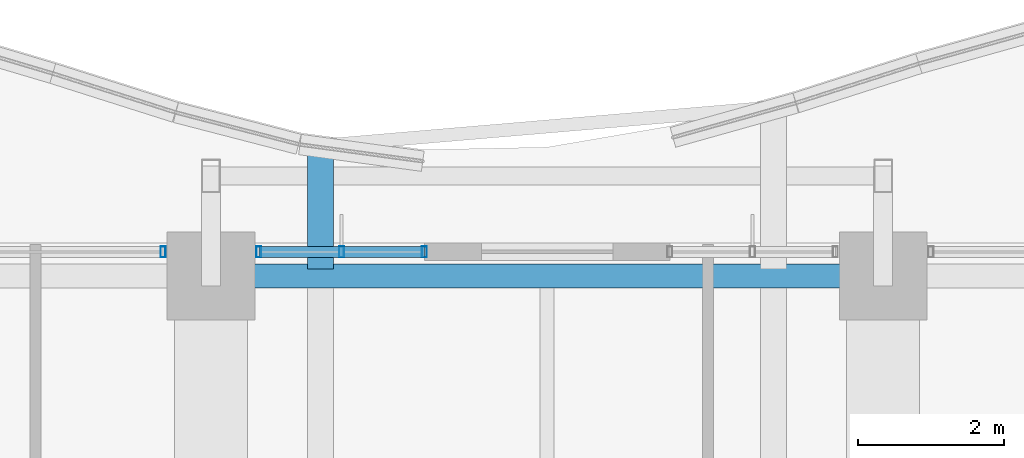
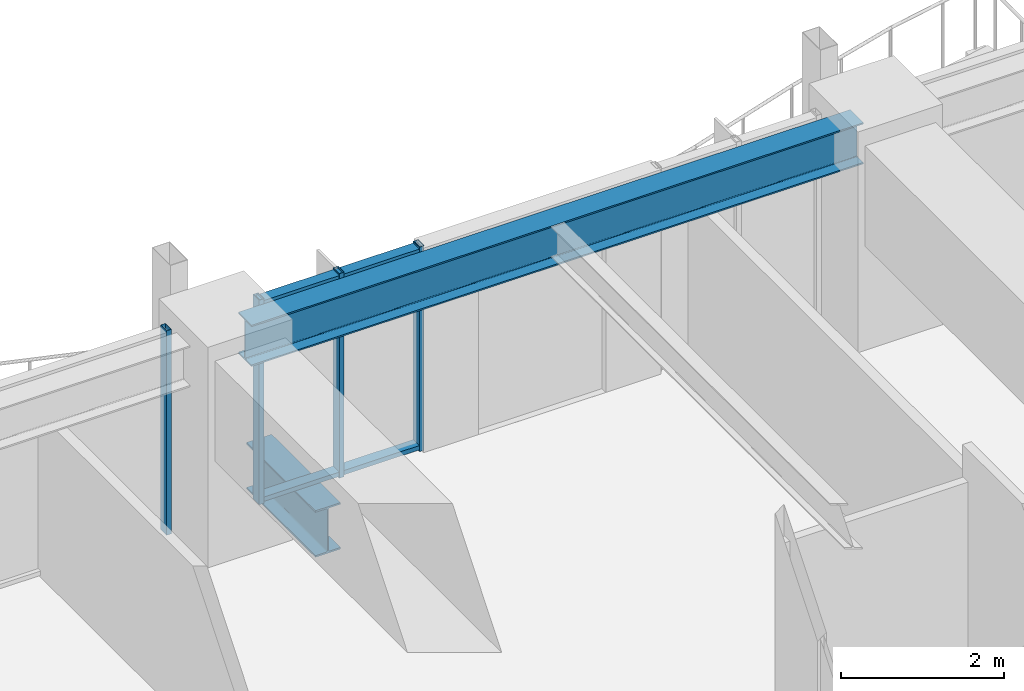
# One storey, part 20 of 37: 6 members, 2 beams, 2 elements without a shape of their own.
"""IFC4 building model written with IfcOpenShell, lengths in metres."""

import ifcopenshell
import ifcopenshell.guid

model = None  # the IFC model being written
_history = None  # IfcOwnerHistory: only IFC2X3 demands one
_inside = {}  # id of a spatial element -> (the spatial element, [elements in it])
_under = {}  # id of a project, library or spatial element -> (it, [spatial elements below it])
_declared = {}  # id of a project -> (the project, [libraries it declares])
_typed = {}  # id of a type object -> (the type object, [elements of that type])
_made_of = {}  # id of a material, layer set ... -> (it, [elements and type objects made of it])


def new_model(schema):
    """Start an empty IFC model of exactly this schema.

    Asked for "IFC4X3", IfcOpenShell would pick the latest addendum, in which some entities
    have other attributes; the version numbers below select the first issue.
    IFC2X3 requires an IfcOwnerHistory on every rooted entity: one is made here for all.
    """
    global model, _history
    if schema == "IFC4X3":
        model = ifcopenshell.file(schema_version=(4, 3, 0, 0))
    else:
        model = ifcopenshell.file(schema=schema)
    _inside.clear()
    _under.clear()
    _declared.clear()
    _typed.clear()
    _made_of.clear()
    _history = None
    if model.schema == "IFC2X3":
        org = make("IfcOrganization", Name="unknown")
        user = make(
            "IfcPersonAndOrganization",
            ThePerson=make("IfcPerson", FamilyName="unknown"),
            TheOrganization=org,
        )
        app = make(
            "IfcApplication",
            ApplicationDeveloper=org,
            Version="unknown",
            ApplicationFullName="unknown",
            ApplicationIdentifier="unknown",
        )
        _history = make(
            "IfcOwnerHistory",
            OwningUser=user,
            OwningApplication=app,
            ChangeAction="ADDED",
            CreationDate=0,
        )
    return model


def make(cls, **values):
    """One entity of the class cls with the attributes given. An attribute that is None is left unset."""
    return model.create_entity(
        cls, **{name: value for name, value in values.items() if value is not None}
    )


def rooted(cls, **values):
    """An entity with a GlobalId (a new one), such as an element, a storey or a relation."""
    return make(cls, GlobalId=ifcopenshell.guid.new(), OwnerHistory=_history, **values)


def si_unit(unit_type, name, prefix=None):
    """IfcSIUnit, for example si_unit("LENGTHUNIT", "METRE", prefix="MILLI")."""
    return make("IfcSIUnit", UnitType=unit_type, Prefix=prefix, Name=name)


def assignment(units):
    """IfcUnitAssignment: the units of a project."""
    return None if units is None else make("IfcUnitAssignment", Units=units)


def point(xyz):
    """IfcCartesianPoint."""
    return None if xyz is None else make("IfcCartesianPoint", Coordinates=xyz)


def direction(xyz):
    """IfcDirection."""
    return None if xyz is None else make("IfcDirection", DirectionRatios=xyz)


def frame(location, z_axis=None, x_axis=None):
    """IfcAxis2Placement3D, a coordinate frame: its origin and axes. An axis left out is left unset."""
    return make(
        "IfcAxis2Placement3D",
        Location=point(location),
        Axis=direction(z_axis),
        RefDirection=direction(x_axis),
    )


def frame_2d(location, x_axis=None):
    """IfcAxis2Placement2D, a coordinate frame in the plane: its origin and x axis."""
    return make(
        "IfcAxis2Placement2D", Location=point(location), RefDirection=direction(x_axis)
    )


def origin():
    """The frame at (0, 0, 0) with its axes left unset."""
    return frame((0.0, 0.0, 0.0))


def origin_2d():
    """The frame at (0, 0) in the plane with its x axis left unset."""
    return frame_2d((0.0, 0.0))


def place(relative_to, where):
    """IfcLocalPlacement: puts the frame where relative to a parent placement (None: the world)."""
    return make(
        "IfcLocalPlacement", PlacementRelTo=relative_to, RelativePlacement=where
    )


def context(
    kind, dimensions, precision=None, world=None, true_north=None, identifier=None
):
    """IfcGeometricRepresentationContext, for example the 3D "Model" context."""
    return make(
        "IfcGeometricRepresentationContext",
        ContextIdentifier=identifier,
        ContextType=kind,
        CoordinateSpaceDimension=dimensions,
        Precision=precision,
        WorldCoordinateSystem=world,
        TrueNorth=true_north,
    )


def subcontext(parent, identifier, kind, view, scale=None):
    """IfcGeometricRepresentationSubContext, for example "Body" below "Model"."""
    return make(
        "IfcGeometricRepresentationSubContext",
        ContextIdentifier=identifier,
        ContextType=kind,
        ParentContext=parent,
        TargetScale=scale,
        TargetView=view,
    )


def project(units=None, contexts=None):
    """IfcProject with its units and contexts."""
    return rooted(
        "IfcProject",
        Name="project",
        RepresentationContexts=contexts,
        UnitsInContext=assignment(units),
    )


def spatial(cls, under=None, at=None, **own):
    """A site, building, storey or space (cls), placed at a placement, below another one or the project."""
    s = rooted(cls, ObjectPlacement=at, **own)
    if under is not None:
        _under.setdefault(under.id(), (under, []))[1].append(s)
    return s


def profile(cls, at=None, kind="AREA", **sizes):
    """A parametric profile (cls). Its sizes go by their IFC names, for example OverallWidth=200.0."""
    return make(cls, ProfileType=kind, Position=at, **sizes)


def hollow_rectangle(**sizes):
    """IfcRectangleHollowProfileDef."""
    return profile("IfcRectangleHollowProfileDef", **sizes)


def i_section(**sizes):
    """IfcIShapeProfileDef."""
    return profile("IfcIShapeProfileDef", **sizes)


def extrude(swept, where, along, depth):
    """IfcExtrudedAreaSolid: the profile swept, set in the frame where, extruded along a direction by depth."""
    return make(
        "IfcExtrudedAreaSolid",
        SweptArea=swept,
        Position=where,
        ExtrudedDirection=direction(along),
        Depth=depth,
    )


def shape(context_of_items, identifier, shape_type, items):
    """IfcShapeRepresentation: the items that make up one representation, for example the "Body"."""
    return make(
        "IfcShapeRepresentation",
        ContextOfItems=context_of_items,
        RepresentationIdentifier=identifier,
        RepresentationType=shape_type,
        Items=items,
    )


def material(Name=None, Category=None):
    """IfcMaterial."""
    return make("IfcMaterial", Name=Name, Category=Category)


def material_profile(
    of_material, cross_section, Name=None, Category=None, Priority=None
):
    """IfcMaterialProfile: a cross section and its material."""
    return make(
        "IfcMaterialProfile",
        Name=Name,
        Material=of_material,
        Profile=cross_section,
        Priority=Priority,
        Category=Category,
    )


def profile_set(profiles, Name=None, composite=None):
    """IfcMaterialProfileSet."""
    return make(
        "IfcMaterialProfileSet",
        Name=Name,
        MaterialProfiles=profiles,
        CompositeProfile=composite,
    )


def made_of(thing, what):
    """Note that an element or type object is made of a material, layer set ...; save() writes the relation."""
    if what is not None:
        _made_of.setdefault(what.id(), (what, []))[1].append(thing)
    return thing


def type_object(cls, material=None, **own):
    """A type object (cls), such as IfcWallType, which elements share."""
    return made_of(rooted(cls, **own), material)


def element(
    cls,
    number,
    at=None,
    inside=None,
    cuts=None,
    type_object=None,
    material=None,
    context=None,
    identifier="Body",
    shape_type=None,
    held_by="IfcProductDefinitionShape",
    body=None,
    shapes=None,
    **own,
):
    """One element of the class cls, such as IfcWall. Its Tag is "e" and its number.

    at: its placement. inside: the storey or other place that contains it. cuts: it is an
    opening in that element (IfcRelVoidsElement). A single representation is given by context,
    identifier, shape_type and body (its items); several are given by shapes. held_by: the class
    of the entity that holds the representations. save() writes the other relations.
    """
    e = rooted(cls, Tag="e%d" % number, ObjectPlacement=at, **own)
    if body is not None:
        shapes = [shape(context, identifier, shape_type, body)]
    if shapes is not None:
        e.Representation = make(held_by, Representations=shapes)
    if inside is not None:
        _inside.setdefault(inside.id(), (inside, []))[1].append(e)
    if cuts is not None:
        rooted(
            "IfcRelVoidsElement", RelatingBuildingElement=cuts, RelatedOpeningElement=e
        )
    if type_object is not None:
        _typed.setdefault(type_object.id(), (type_object, []))[1].append(e)
    return made_of(e, material)


def aggregate(whole, parts):
    """IfcRelAggregates: a whole, such as a stair, and the parts it consists of."""
    return rooted("IfcRelAggregates", RelatingObject=whole, RelatedObjects=parts)


def save(model, path):
    """Write the relations noted so far, then the file.

    IfcRelAggregates (storeys below a building ...), IfcRelContainedInSpatialStructure (elements
    in a storey), IfcRelDefinesByType, IfcRelAssociatesMaterial and IfcRelDeclares: one each for
    every whole, place, type object, material and project.
    """
    for whole, parts in _under.values():
        aggregate(whole, parts)
    for where, things in _inside.values():
        rooted(
            "IfcRelContainedInSpatialStructure",
            RelatedElements=things,
            RelatingStructure=where,
        )
    for kind, things in _typed.values():
        rooted("IfcRelDefinesByType", RelatedObjects=things, RelatingType=kind)
    for what, things in _made_of.values():
        rooted("IfcRelAssociatesMaterial", RelatedObjects=things, RelatingMaterial=what)
    for by, libraries in _declared.values():
        rooted("IfcRelDeclares", RelatingContext=by, RelatedDefinitions=libraries)
    model.write(path)


model = new_model("IFC4")

# Units and contexts
model_context = context("Model", 3, precision=1e-05, world=origin(), true_north=direction((0.0, 1.0)))
body_context = subcontext(model_context, "Body", "Model", "MODEL_VIEW")
ifc_project = project(units=[si_unit("LENGTHUNIT", "METRE"), si_unit("AREAUNIT", "SQUARE_METRE"), si_unit("VOLUMEUNIT", "CUBIC_METRE"), si_unit("PLANEANGLEUNIT", "RADIAN"), si_unit("MASSUNIT", "GRAM", prefix="KILO")], contexts=[model_context])

# Site, building, storey
site_placement = place(None, origin())
site = spatial("IfcSite", under=ifc_project, at=site_placement, CompositionType="ELEMENT")
building_placement = place(site_placement, origin())
building = spatial("IfcBuilding", under=site, at=building_placement, Name="Kolvaren Belvedere", CompositionType="ELEMENT")
storey_placement = place(building_placement, frame((0.0, 0.0, 43.60009765625)))
storey = spatial("IfcBuildingStorey", under=building, at=storey_placement, Name="L12", CompositionType="ELEMENT", Elevation=43.60009765625)

# Beams
ifc_material_1 = material(Name="Structural steel ASTM A992 Grade 50", Category="steel")
ifc_material_profile_1 = material_profile(ifc_material_1, i_section(OverallWidth=0.35498046875, OverallDepth=0.696044921875, WebThickness=0.015380859375, FlangeThickness=0.02490234375, FilletRadius=0.02197265625, at=origin_2d()), Name="W27X146")
ifc_profile_set_1 = profile_set([ifc_material_profile_1], Name="Structural steel ASTM A992 Grade 50")
beam_type_1 = type_object("IfcBeamType", Name="BM-CANT-BAL", PredefinedType="BEAM", material=ifc_profile_set_1)
beam_1_placement = place(storey_placement, frame((-3.10009765625, 21.64501953125, -0.588134765625), z_axis=(0.0, 1.0, 0.0), x_axis=(-1.0, 0.0, 0.0)))
element("IfcBeam", 1, at=beam_1_placement, inside=storey, type_object=beam_type_1, Name="L12 Planted Balcony Cantilever BAL-N-1", PredefinedType="BEAM", context=body_context, shape_type="SweptSolid", body=[
    extrude(i_section(OverallWidth=0.35498046875, OverallDepth=0.696044921875, WebThickness=0.015380859375, FlangeThickness=0.02490234375, FilletRadius=0.02197265625, at=origin_2d()), origin(), (0.0, 0.0, 1.0), 1.6875),
])
ifc_material_2 = material(Name="Structural steel ASTM A992 Grade 50", Category="steel")
ifc_material_profile_2 = material_profile(ifc_material_2, i_section(OverallWidth=0.324951171875, OverallDepth=0.615966796875, WebThickness=0.013916015625, FlangeThickness=0.021484375, FilletRadius=0.02001953125, at=origin_2d()), Name="W24X117")
ifc_profile_set_2 = profile_set([ifc_material_profile_2], Name="Structural steel ASTM A992 Grade 50")
beam_type_2 = type_object("IfcBeamType", Name="BM-SPAN-W24X117", PredefinedType="SPANDREL", material=ifc_profile_set_2)
beam_2_placement = place(storey_placement, frame((4.330078125, 21.550048828125, 2.751953125), z_axis=(-1.0, 0.0, 0.0), x_axis=(0.0, -1.0, 0.0)))
element("IfcBeam", 2, at=beam_2_placement, inside=storey, type_object=beam_type_2, Name="L12 Perimeter Spandrel N3-N2", PredefinedType="SPANDREL", context=body_context, shape_type="SweptSolid", body=[
    extrude(i_section(OverallWidth=0.324951171875, OverallDepth=0.615966796875, WebThickness=0.013916015625, FlangeThickness=0.021484375, FilletRadius=0.02001953125, at=origin_2d()), origin(), (0.0, 0.0, 1.0), 8.66015625),
])

# Curtain wall, member
ifc_material_3 = material(Name="Anodised pale-metal aluminium AA 6063-T6", Category="aluminium")
curtain_wall_type = type_object("IfcCurtainWallType", Name="CW-Z1-LOW", PredefinedType="NOTDEFINED", material=ifc_material_3)
curtain_wall_1_placement = place(storey_placement, origin())
curtain_wall_1 = element("IfcCurtainWall", 3, at=curtain_wall_1_placement, inside=storey, type_object=curtain_wall_type, Name="L12 Unitised Curtain Wall FCW-L12-N1-B1", PredefinedType="NOTDEFINED")
ifc_material_4 = material(Name="Anodised pale-metal aluminium AA 6063-T6", Category="aluminium")
ifc_material_profile_3 = material_profile(ifc_material_4, hollow_rectangle(XDim=0.070068359375, YDim=0.14990234375, WallThickness=0.004150390625, at=origin_2d()), Name="ALU-MUL-150X70")
ifc_profile_set_3 = profile_set([ifc_material_profile_3], Name="Anodised pale-metal aluminium AA 6063-T6")
member_type_1 = type_object("IfcMemberType", Name="CW-MUL-150", PredefinedType="MULLION", material=ifc_profile_set_3)
member_1_placement = place(storey_placement, frame((-5.2548828125, 21.8798828125, 0.0), z_axis=(0.0, 0.0, 1.0), x_axis=(1.0, 0.0, 0.0)))
member_1 = element("IfcMember", 4, at=member_1_placement, type_object=member_type_1, Name="FCW-L12-N1-B1 Unitised Mullion 3", PredefinedType="MULLION", context=body_context, shape_type="SweptSolid", body=[
    extrude(hollow_rectangle(XDim=0.070068359375, YDim=0.14990234375, WallThickness=0.004150390625, at=origin_2d()), origin(), (0.0, 0.0, 1.0), 3.059814453125),
])
aggregate(curtain_wall_1, [member_1])

# Curtain wall, members
curtain_wall_2_placement = place(storey_placement, origin())
curtain_wall_2 = element("IfcCurtainWall", 5, at=curtain_wall_2_placement, inside=storey, type_object=curtain_wall_type, Name="L12 Unitised Curtain Wall FCW-L12-N1-B2", PredefinedType="NOTDEFINED")
member_2_placement = place(storey_placement, frame((-3.945068359375, 21.8798828125, 0.0), z_axis=(0.0, 0.0, 1.0), x_axis=(1.0, 0.0, 0.0)))
member_2 = element("IfcMember", 6, at=member_2_placement, type_object=member_type_1, Name="FCW-L12-N1-B2 Unitised Mullion 1", PredefinedType="MULLION", context=body_context, shape_type="SweptSolid", body=[
    extrude(hollow_rectangle(XDim=0.070068359375, YDim=0.14990234375, WallThickness=0.004150390625, at=origin_2d()), origin(), (0.0, 0.0, 1.0), 3.059814453125),
])
member_3_placement = place(storey_placement, frame((-2.8125, 21.8798828125, 0.0), z_axis=(0.0, 0.0, 1.0), x_axis=(1.0, 0.0, 0.0)))
member_3 = element("IfcMember", 7, at=member_3_placement, type_object=member_type_1, Name="FCW-L12-N1-B2 Unitised Mullion 2", PredefinedType="MULLION", context=body_context, shape_type="SweptSolid", body=[
    extrude(hollow_rectangle(XDim=0.070068359375, YDim=0.14990234375, WallThickness=0.004150390625, at=origin_2d()), origin(), (0.0, 0.0, 1.0), 3.059814453125),
])
member_4_placement = place(storey_placement, frame((-1.679931640625, 21.8798828125, 0.0), z_axis=(0.0, 0.0, 1.0), x_axis=(1.0, 0.0, 0.0)))
member_4 = element("IfcMember", 8, at=member_4_placement, type_object=member_type_1, Name="FCW-L12-N1-B2 Unitised Mullion 3", PredefinedType="MULLION", context=body_context, shape_type="SweptSolid", body=[
    extrude(hollow_rectangle(XDim=0.070068359375, YDim=0.14990234375, WallThickness=0.004150390625, at=origin_2d()), origin(), (0.0, 0.0, 1.0), 3.059814453125),
])
ifc_material_5 = material(Name="Anodised pale-metal aluminium AA 6063-T6", Category="aluminium")
ifc_material_profile_4 = material_profile(ifc_material_5, hollow_rectangle(XDim=0.06494140625, YDim=0.14990234375, WallThickness=0.00390625, at=origin_2d()), Name="ALU-TRN-150X65")
ifc_profile_set_4 = profile_set([ifc_material_profile_4], Name="Anodised pale-metal aluminium AA 6063-T6")
member_type_2 = type_object("IfcMemberType", Name="CW-TRN-150", PredefinedType="USERDEFINED", material=ifc_profile_set_4)
member_5_placement = place(storey_placement, frame((-3.945068359375, 21.8798828125, 0.059814453125), z_axis=(1.0, 0.0, 0.0), x_axis=(0.0, 0.0, 1.0)))
member_5 = element("IfcMember", 9, at=member_5_placement, type_object=member_type_2, Name="FCW-L12-N1-B2 Sill Transom", ObjectType="TRANSOM", PredefinedType="USERDEFINED", context=body_context, shape_type="SweptSolid", body=[
    extrude(hollow_rectangle(XDim=0.06494140625, YDim=0.14990234375, WallThickness=0.00390625, at=origin_2d()), origin(), (0.0, 0.0, 1.0), 2.26513671875),
])
member_6_placement = place(storey_placement, frame((-3.945068359375, 21.8798828125, 3.0), z_axis=(1.0, 0.0, 0.0), x_axis=(0.0, 0.0, 1.0)))
member_6 = element("IfcMember", 10, at=member_6_placement, type_object=member_type_2, Name="FCW-L12-N1-B2 Head Transom", ObjectType="TRANSOM", PredefinedType="USERDEFINED", context=body_context, shape_type="SweptSolid", body=[
    extrude(hollow_rectangle(XDim=0.06494140625, YDim=0.14990234375, WallThickness=0.00390625, at=origin_2d()), origin(), (0.0, 0.0, 1.0), 2.26513671875),
])
aggregate(curtain_wall_2, [member_2, member_3, member_4, member_5, member_6])

save(model, "model.ifc")
